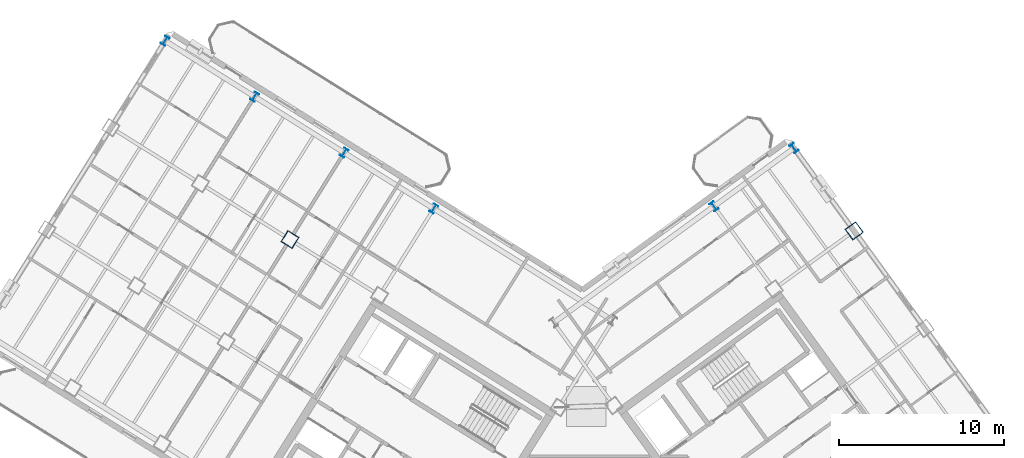
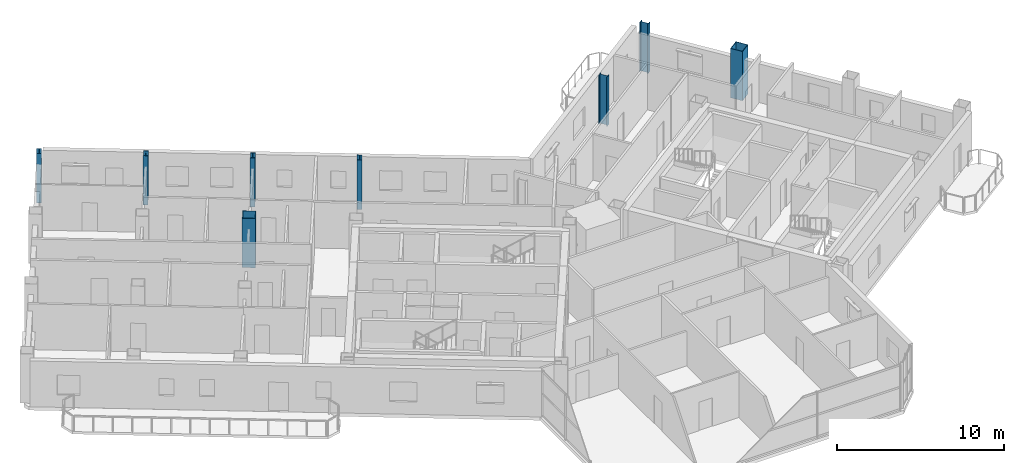
# One storey, part 3 of 23: 8 columns.
"""IFC4 building model written with IfcOpenShell, lengths in metres."""

import ifcopenshell
import ifcopenshell.guid

model = None  # the IFC model being written
_history = None  # IfcOwnerHistory: only IFC2X3 demands one
_inside = {}  # id of a spatial element -> (the spatial element, [elements in it])
_under = {}  # id of a project, library or spatial element -> (it, [spatial elements below it])
_declared = {}  # id of a project -> (the project, [libraries it declares])
_typed = {}  # id of a type object -> (the type object, [elements of that type])
_made_of = {}  # id of a material, layer set ... -> (it, [elements and type objects made of it])


def new_model(schema):
    """Start an empty IFC model of exactly this schema.

    Asked for "IFC4X3", IfcOpenShell would pick the latest addendum, in which some entities
    have other attributes; the version numbers below select the first issue.
    IFC2X3 requires an IfcOwnerHistory on every rooted entity: one is made here for all.
    """
    global model, _history
    if schema == "IFC4X3":
        model = ifcopenshell.file(schema_version=(4, 3, 0, 0))
    else:
        model = ifcopenshell.file(schema=schema)
    _inside.clear()
    _under.clear()
    _declared.clear()
    _typed.clear()
    _made_of.clear()
    _history = None
    if model.schema == "IFC2X3":
        org = make("IfcOrganization", Name="unknown")
        user = make(
            "IfcPersonAndOrganization",
            ThePerson=make("IfcPerson", FamilyName="unknown"),
            TheOrganization=org,
        )
        app = make(
            "IfcApplication",
            ApplicationDeveloper=org,
            Version="unknown",
            ApplicationFullName="unknown",
            ApplicationIdentifier="unknown",
        )
        _history = make(
            "IfcOwnerHistory",
            OwningUser=user,
            OwningApplication=app,
            ChangeAction="ADDED",
            CreationDate=0,
        )
    return model


def make(cls, **values):
    """One entity of the class cls with the attributes given. An attribute that is None is left unset."""
    return model.create_entity(
        cls, **{name: value for name, value in values.items() if value is not None}
    )


def rooted(cls, **values):
    """An entity with a GlobalId (a new one), such as an element, a storey or a relation."""
    return make(cls, GlobalId=ifcopenshell.guid.new(), OwnerHistory=_history, **values)


def si_unit(unit_type, name, prefix=None):
    """IfcSIUnit, for example si_unit("LENGTHUNIT", "METRE", prefix="MILLI")."""
    return make("IfcSIUnit", UnitType=unit_type, Prefix=prefix, Name=name)


def assignment(units):
    """IfcUnitAssignment: the units of a project."""
    return None if units is None else make("IfcUnitAssignment", Units=units)


def point(xyz):
    """IfcCartesianPoint."""
    return None if xyz is None else make("IfcCartesianPoint", Coordinates=xyz)


def direction(xyz):
    """IfcDirection."""
    return None if xyz is None else make("IfcDirection", DirectionRatios=xyz)


def frame(location, z_axis=None, x_axis=None):
    """IfcAxis2Placement3D, a coordinate frame: its origin and axes. An axis left out is left unset."""
    return make(
        "IfcAxis2Placement3D",
        Location=point(location),
        Axis=direction(z_axis),
        RefDirection=direction(x_axis),
    )


def frame_2d(location, x_axis=None):
    """IfcAxis2Placement2D, a coordinate frame in the plane: its origin and x axis."""
    return make(
        "IfcAxis2Placement2D", Location=point(location), RefDirection=direction(x_axis)
    )


def origin():
    """The frame at (0, 0, 0) with its axes left unset."""
    return frame((0.0, 0.0, 0.0))


def origin_2d():
    """The frame at (0, 0) in the plane with its x axis left unset."""
    return frame_2d((0.0, 0.0))


def place(relative_to, where):
    """IfcLocalPlacement: puts the frame where relative to a parent placement (None: the world)."""
    return make(
        "IfcLocalPlacement", PlacementRelTo=relative_to, RelativePlacement=where
    )


def context(
    kind, dimensions, precision=None, world=None, true_north=None, identifier=None
):
    """IfcGeometricRepresentationContext, for example the 3D "Model" context."""
    return make(
        "IfcGeometricRepresentationContext",
        ContextIdentifier=identifier,
        ContextType=kind,
        CoordinateSpaceDimension=dimensions,
        Precision=precision,
        WorldCoordinateSystem=world,
        TrueNorth=true_north,
    )


def subcontext(parent, identifier, kind, view, scale=None):
    """IfcGeometricRepresentationSubContext, for example "Body" below "Model"."""
    return make(
        "IfcGeometricRepresentationSubContext",
        ContextIdentifier=identifier,
        ContextType=kind,
        ParentContext=parent,
        TargetScale=scale,
        TargetView=view,
    )


def project(units=None, contexts=None):
    """IfcProject with its units and contexts."""
    return rooted(
        "IfcProject",
        Name="project",
        RepresentationContexts=contexts,
        UnitsInContext=assignment(units),
    )


def spatial(cls, under=None, at=None, **own):
    """A site, building, storey or space (cls), placed at a placement, below another one or the project."""
    s = rooted(cls, ObjectPlacement=at, **own)
    if under is not None:
        _under.setdefault(under.id(), (under, []))[1].append(s)
    return s


def profile(cls, at=None, kind="AREA", **sizes):
    """A parametric profile (cls). Its sizes go by their IFC names, for example OverallWidth=200.0."""
    return make(cls, ProfileType=kind, Position=at, **sizes)


def hollow_rectangle(**sizes):
    """IfcRectangleHollowProfileDef."""
    return profile("IfcRectangleHollowProfileDef", **sizes)


def i_section(**sizes):
    """IfcIShapeProfileDef."""
    return profile("IfcIShapeProfileDef", **sizes)


def extrude(swept, where, along, depth):
    """IfcExtrudedAreaSolid: the profile swept, set in the frame where, extruded along a direction by depth."""
    return make(
        "IfcExtrudedAreaSolid",
        SweptArea=swept,
        Position=where,
        ExtrudedDirection=direction(along),
        Depth=depth,
    )


def shape(context_of_items, identifier, shape_type, items):
    """IfcShapeRepresentation: the items that make up one representation, for example the "Body"."""
    return make(
        "IfcShapeRepresentation",
        ContextOfItems=context_of_items,
        RepresentationIdentifier=identifier,
        RepresentationType=shape_type,
        Items=items,
    )


def source(mapping_origin, context_of_items, identifier, shape_type, items):
    """IfcRepresentationMap: a shape defined once, which mapped items show again and again."""
    return make(
        "IfcRepresentationMap",
        MappingOrigin=mapping_origin,
        MappedRepresentation=shape(context_of_items, identifier, shape_type, items),
    )


def transform(
    local_origin,
    x_axis=None,
    y_axis=None,
    z_axis=None,
    scale=None,
    scale2=None,
    scale3=None,
    uniform=True,
):
    """IfcCartesianTransformationOperator3D, or its non-uniform kind. x_axis, y_axis, z_axis: its Axis1, 2, 3."""
    if uniform:
        return make(
            "IfcCartesianTransformationOperator3D",
            Axis1=direction(x_axis),
            Axis2=direction(y_axis),
            LocalOrigin=point(local_origin),
            Scale=scale,
            Axis3=direction(z_axis),
        )
    return make(
        "IfcCartesianTransformationOperator3DnonUniform",
        Axis1=direction(x_axis),
        Axis2=direction(y_axis),
        LocalOrigin=point(local_origin),
        Scale=scale,
        Axis3=direction(z_axis),
        Scale2=scale2,
        Scale3=scale3,
    )


def mapped(mapping_source, mapping_target):
    """IfcMappedItem: shows the shape of a source again, moved by a transform."""
    return make(
        "IfcMappedItem", MappingSource=mapping_source, MappingTarget=mapping_target
    )


def material(Name=None, Category=None):
    """IfcMaterial."""
    return make("IfcMaterial", Name=Name, Category=Category)


def material_profile(
    of_material, cross_section, Name=None, Category=None, Priority=None
):
    """IfcMaterialProfile: a cross section and its material."""
    return make(
        "IfcMaterialProfile",
        Name=Name,
        Material=of_material,
        Profile=cross_section,
        Priority=Priority,
        Category=Category,
    )


def profile_set(profiles, Name=None, composite=None):
    """IfcMaterialProfileSet."""
    return make(
        "IfcMaterialProfileSet",
        Name=Name,
        MaterialProfiles=profiles,
        CompositeProfile=composite,
    )


def made_of(thing, what):
    """Note that an element or type object is made of a material, layer set ...; save() writes the relation."""
    if what is not None:
        _made_of.setdefault(what.id(), (what, []))[1].append(thing)
    return thing


def type_object(cls, material=None, **own):
    """A type object (cls), such as IfcWallType, which elements share."""
    return made_of(rooted(cls, **own), material)


def element(
    cls,
    number,
    at=None,
    inside=None,
    cuts=None,
    type_object=None,
    material=None,
    context=None,
    identifier="Body",
    shape_type=None,
    held_by="IfcProductDefinitionShape",
    body=None,
    shapes=None,
    **own,
):
    """One element of the class cls, such as IfcWall. Its Tag is "e" and its number.

    at: its placement. inside: the storey or other place that contains it. cuts: it is an
    opening in that element (IfcRelVoidsElement). A single representation is given by context,
    identifier, shape_type and body (its items); several are given by shapes. held_by: the class
    of the entity that holds the representations. save() writes the other relations.
    """
    e = rooted(cls, Tag="e%d" % number, ObjectPlacement=at, **own)
    if body is not None:
        shapes = [shape(context, identifier, shape_type, body)]
    if shapes is not None:
        e.Representation = make(held_by, Representations=shapes)
    if inside is not None:
        _inside.setdefault(inside.id(), (inside, []))[1].append(e)
    if cuts is not None:
        rooted(
            "IfcRelVoidsElement", RelatingBuildingElement=cuts, RelatedOpeningElement=e
        )
    if type_object is not None:
        _typed.setdefault(type_object.id(), (type_object, []))[1].append(e)
    return made_of(e, material)


def aggregate(whole, parts):
    """IfcRelAggregates: a whole, such as a stair, and the parts it consists of."""
    return rooted("IfcRelAggregates", RelatingObject=whole, RelatedObjects=parts)


def save(model, path):
    """Write the relations noted so far, then the file.

    IfcRelAggregates (storeys below a building ...), IfcRelContainedInSpatialStructure (elements
    in a storey), IfcRelDefinesByType, IfcRelAssociatesMaterial and IfcRelDeclares: one each for
    every whole, place, type object, material and project.
    """
    for whole, parts in _under.values():
        aggregate(whole, parts)
    for where, things in _inside.values():
        rooted(
            "IfcRelContainedInSpatialStructure",
            RelatedElements=things,
            RelatingStructure=where,
        )
    for kind, things in _typed.values():
        rooted("IfcRelDefinesByType", RelatedObjects=things, RelatingType=kind)
    for what, things in _made_of.values():
        rooted("IfcRelAssociatesMaterial", RelatedObjects=things, RelatingMaterial=what)
    for by, libraries in _declared.values():
        rooted("IfcRelDeclares", RelatingContext=by, RelatedDefinitions=libraries)
    model.write(path)


model = new_model("IFC4")

# Units and contexts
model_context = context("Model", 3, precision=1e-05, world=origin(), true_north=direction((0.0, 1.0)))
body_context = subcontext(model_context, "Body", "Model", "MODEL_VIEW")
ifc_project = project(units=[si_unit("LENGTHUNIT", "METRE"), si_unit("AREAUNIT", "SQUARE_METRE"), si_unit("VOLUMEUNIT", "CUBIC_METRE"), si_unit("PLANEANGLEUNIT", "RADIAN"), si_unit("MASSUNIT", "GRAM", prefix="KILO")], contexts=[model_context])

# Site, building, storey
site_placement = place(None, origin())
site = spatial("IfcSite", under=ifc_project, at=site_placement, CompositionType="ELEMENT")
building_placement = place(site_placement, origin())
building = spatial("IfcBuilding", under=site, at=building_placement, Name="Tlacorven Tower", CompositionType="ELEMENT")
storey_placement = place(building_placement, frame((0.0, 0.0, 218.39990234375)))
storey = spatial("IfcBuildingStorey", under=building, at=storey_placement, Name="L55", CompositionType="ELEMENT", Elevation=218.39990234375)

# Columns
ifc_material = material(Name="Steel S460M", Category="steel")
ifc_material_profile_1 = material_profile(ifc_material, i_section(OverallWidth=0.300048828125, OverallDepth=0.550048828125, WebThickness=0.014892578125, FlangeThickness=0.029052734375, at=origin_2d()), Name="HEB 550")
ifc_profile_set_1 = profile_set([ifc_material_profile_1], Name="Steel S460M")
column_type_1 = type_object("IfcColumnType", Name="COL-TWR-P2", PredefinedType="COLUMN", material=ifc_profile_set_1)
shared_shape_1 = source(origin(), body_context, "Body", "SweptSolid", [
    extrude(i_section(OverallWidth=0.300048828125, OverallDepth=0.550048828125, WebThickness=0.014892578125, FlangeThickness=0.029052734375, at=origin_2d()), origin(), (0.0, 0.0, 1.0), 3.60009765625),
])
for number, where, z_axis, x_axis, name in (
    (1, (33.21337890625, 36.50927734375, 0.0), (0.0, 0.0, 1.0), (-0.848048096156, 0.529919264233, 0.0), "L55 column COL-L55-W3-1"),
    (2, (27.785888671875, 39.900634765625, 0.0), (0.0, 0.0, 1.0), (-0.848048096156, 0.529919264233, 0.0), "L55 column COL-L55-W4-1"),
    (3, (22.3583984375, 43.292236328125, 0.0), (0.0, 0.0, 1.0), (-0.848048096156, 0.529919264233, 0.0), "L55 column COL-L55-W5-1"),
    (4, (16.930908203125, 46.68359375, 0.0), (0.0, 0.0, 1.0), (-0.848048096156, 0.529919264233, 0.0), "L55 column COL-L55-W6-1"),
    (5, (50.187744140625, 36.654296875, 0.0), (0.0, 0.0, 1.0), (0.809016994375, 0.587785252292, 0.0), "L55 column COL-L55-E3-4"),
    (6, (55.041748046875, 40.18115234375, 0.0), (0.0, 0.0, 1.0), (0.809016994375, 0.587785252292, 0.0), "L55 column COL-L55-E4-4"),
):
    element("IfcColumn", number, at=place(storey_placement, frame(where, z_axis=z_axis, x_axis=x_axis)), inside=storey, type_object=column_type_1, Name=name, PredefinedType="COLUMN", context=body_context, shape_type="MappedRepresentation", body=[
        mapped(shared_shape_1, transform((0.0, 0.0, 0.0), scale=1.0)),
    ])
ifc_material_profile_2 = material_profile(ifc_material, hollow_rectangle(XDim=0.800048828125, YDim=0.800048828125, WallThickness=0.031982421875, at=origin_2d()), Name="BOX 800X800X32")
ifc_profile_set_2 = profile_set([ifc_material_profile_2], Name="Steel S460M")
column_type_2 = type_object("IfcColumnType", Name="COL-TWR-S3", PredefinedType="COLUMN", material=ifc_profile_set_2)
shared_shape_2 = source(origin(), body_context, "Body", "SweptSolid", [
    extrude(hollow_rectangle(XDim=0.800048828125, YDim=0.800048828125, WallThickness=0.031982421875, at=origin_2d()), origin(), (0.0, 0.0, 1.0), 3.60009765625),
])
for number, where, z_axis, x_axis, name in (
    (7, (24.50048828125, 34.642822265625, 0.0), (0.0, 0.0, 1.0), (-0.848048096156, 0.529919264233, 0.0), "L55 column COL-L55-W4-2"),
    (8, (58.68603515625, 35.165283203125, 0.0), (0.0, 0.0, 1.0), (0.809016994375, 0.587785252292, 0.0), "L55 column COL-L55-E4-3"),
):
    element("IfcColumn", number, at=place(storey_placement, frame(where, z_axis=z_axis, x_axis=x_axis)), inside=storey, type_object=column_type_2, Name=name, PredefinedType="COLUMN", context=body_context, shape_type="MappedRepresentation", body=[
        mapped(shared_shape_2, transform((0.0, 0.0, 0.0), scale=1.0)),
    ])

save(model, "model.ifc")
